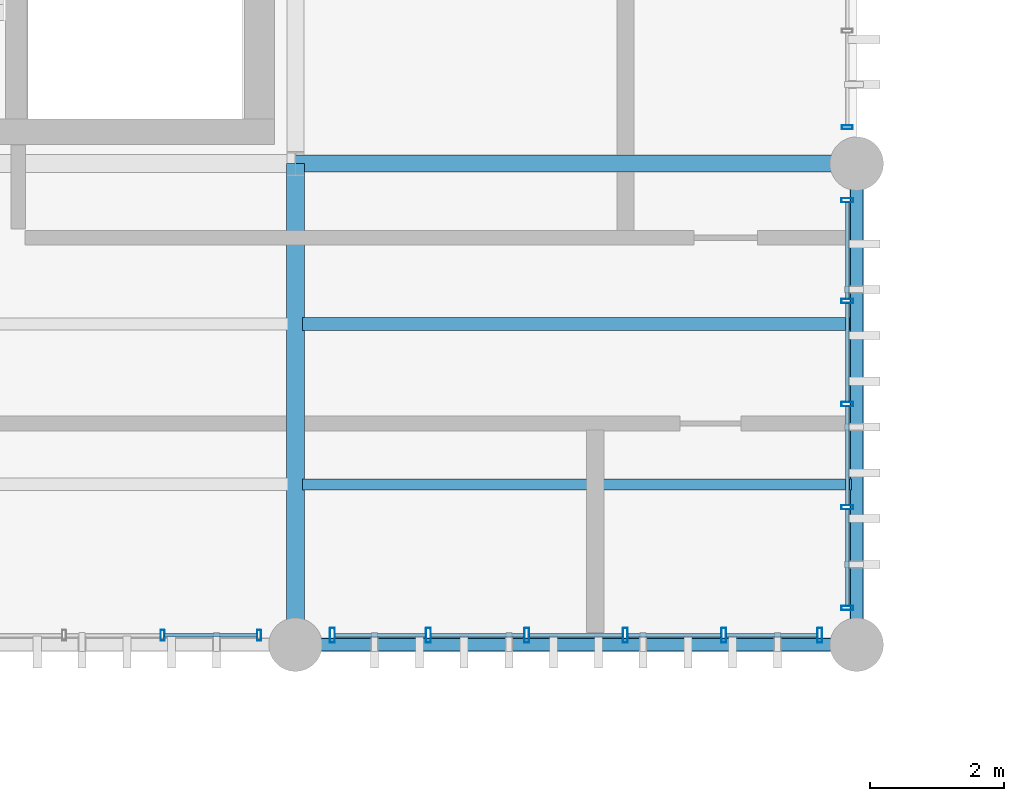
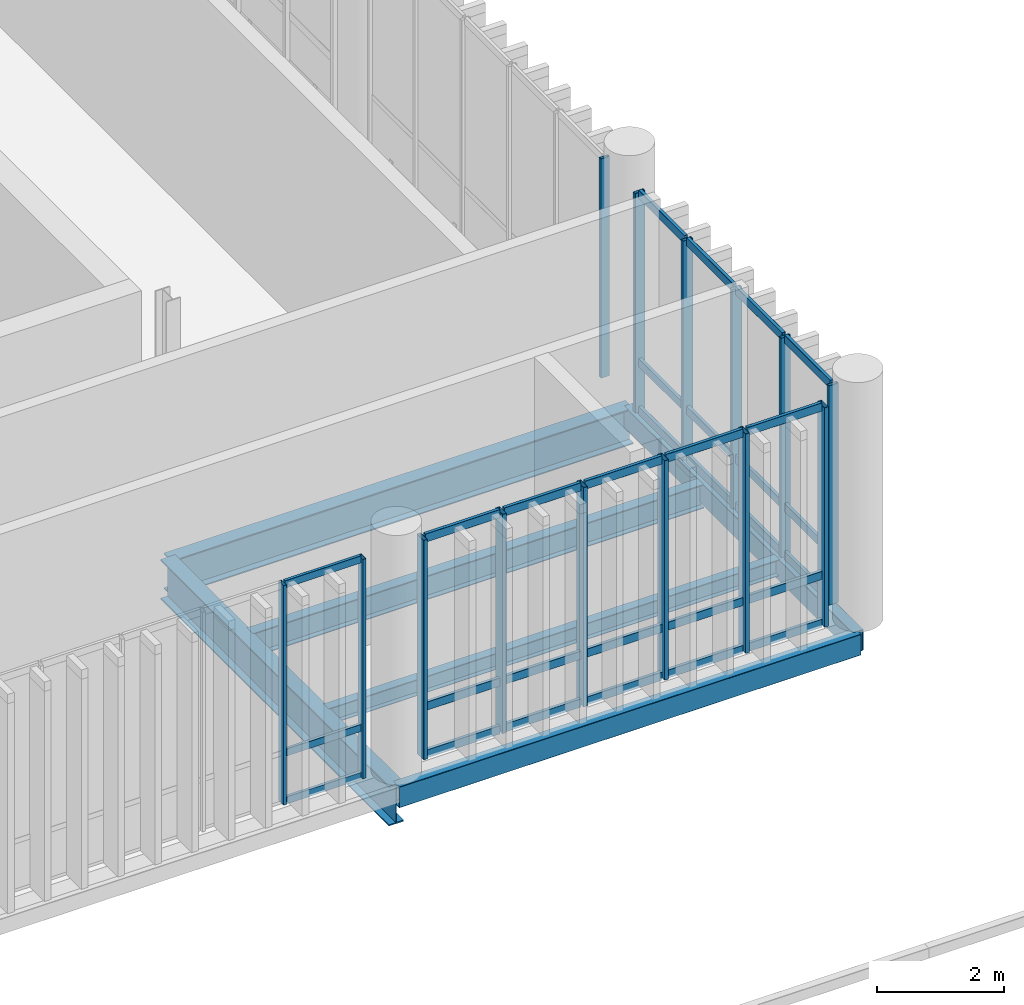
# One storey, part 40 of 94: 44 members, 6 beams, 4 elements without a shape of their own.
"""IFC4 building model written with IfcOpenShell, lengths in metres."""

from ifc_helpers import new_model, si_unit, direction, frame, origin_with_axes, origin_2d_with_axis, place, context, subcontext, project, spatial, hollow_rectangle, i_section, extrude, material, material_profile, profile_set, type_object, element, aggregate, save


model = new_model("IFC4")

# Units and contexts
model_context = context("Model", 3, precision=1e-05, world=origin_with_axes(), true_north=direction((0.0, 1.0)))
body_context = subcontext(model_context, "Body", "Model", "MODEL_VIEW")
ifc_project = project(units=[si_unit("LENGTHUNIT", "METRE"), si_unit("AREAUNIT", "SQUARE_METRE"), si_unit("VOLUMEUNIT", "CUBIC_METRE"), si_unit("PLANEANGLEUNIT", "RADIAN"), si_unit("MASSUNIT", "GRAM", prefix="KILO"), si_unit("THERMODYNAMICTEMPERATUREUNIT", "KELVIN")], contexts=[model_context])

# Site, building, storey
site_placement = place(None, origin_with_axes())
site = spatial("IfcSite", under=ifc_project, at=site_placement, CompositionType="ELEMENT")
building_placement = place(site_placement, origin_with_axes())
building = spatial("IfcBuilding", under=site, at=building_placement, Name="Montbau Bow Law Courts", CompositionType="ELEMENT")
storey_placement = place(building_placement, frame((0.0, 0.0, 15.6), z_axis=(0.0, 0.0, 1.0), x_axis=(1.0, 0.0, 0.0)))
storey = spatial("IfcBuildingStorey", under=building, at=storey_placement, Name="L03", CompositionType="ELEMENT", Elevation=15.6)

# Beams
ifc_material_1 = material(Name="Steel CSA G40.21 Grade 350W (350 MPa)", Category="steel")
ifc_material_profile_1 = material_profile(ifc_material_1, i_section(OverallWidth=0.267, OverallDepth=0.766, WebThickness=0.0149, FlangeThickness=0.0236, at=origin_2d_with_axis()), Name="W760X185", Category="Main", Priority=0)
ifc_profile_set_1 = profile_set([ifc_material_profile_1], Name="Steel CSA G40.21 Grade 350W (350 MPa)")
beam_type_1 = type_object("IfcBeamType", Name="B-FLR-03", PredefinedType="BEAM", material=ifc_profile_set_1)
beam_1_placement = place(None, frame((88.8, 39.0, 14.957), z_axis=(0.0, 1.0, 0.0), x_axis=(-1.0, 0.0, 0.0)))
element("IfcBeam", 1, at=beam_1_placement, inside=storey, type_object=beam_type_1, Name="BM-L03-S0910:bm2_0913", PredefinedType="BEAM", context=body_context, shape_type="SweptSolid", body=[
    extrude(i_section(OverallWidth=0.267, OverallDepth=0.766, WebThickness=0.0149, FlangeThickness=0.0236, at=origin_2d_with_axis()), origin_with_axes(), (0.0, 0.0, 1.0), 7.2),
])
ifc_material_profile_2 = material_profile(ifc_material_1, i_section(OverallWidth=0.254, OverallDepth=0.688, WebThickness=0.0131, FlangeThickness=0.0211, at=origin_2d_with_axis()), Name="W690X152", Category="Main", Priority=0)
ifc_profile_set_2 = profile_set([ifc_material_profile_2], Name="Steel CSA G40.21 Grade 350W (350 MPa)")
beam_type_2 = type_object("IfcBeamType", Name="B-FLR-04", PredefinedType="BEAM", material=ifc_profile_set_2)
beam_2_placement = place(None, frame((88.8, 46.2, 14.996), z_axis=(1.0, 0.0, 0.0), x_axis=(0.0, 1.0, 0.0)))
element("IfcBeam", 2, at=beam_2_placement, inside=storey, type_object=beam_type_2, Name="BM-L03-S0885:bm2_0888", PredefinedType="BEAM", context=body_context, shape_type="SweptSolid", body=[
    extrude(i_section(OverallWidth=0.254, OverallDepth=0.688, WebThickness=0.0131, FlangeThickness=0.0211, at=origin_2d_with_axis()), origin_with_axes(), (0.0, 0.0, 1.0), 8.4),
])
ifc_material_profile_3 = material_profile(ifc_material_1, i_section(OverallWidth=0.191, OverallDepth=0.46, WebThickness=0.0099, FlangeThickness=0.016, at=origin_2d_with_axis()), Name="W460X82", Category="Main", Priority=0)
ifc_profile_set_3 = profile_set([ifc_material_profile_3], Name="Steel CSA G40.21 Grade 350W (350 MPa)")
beam_type_3 = type_object("IfcBeamType", Name="B-JST-01", PredefinedType="JOIST", material=ifc_profile_set_3)
beam_3_placement = place(None, frame((88.909, 43.8, 15.11), z_axis=(1.0, 0.0, 0.0), x_axis=(0.0, 1.0, 0.0)))
element("IfcBeam", 3, at=beam_3_placement, inside=storey, type_object=beam_type_3, Name="JST-L03-S0472:jst2_0472", PredefinedType="JOIST", context=body_context, shape_type="SweptSolid", body=[
    extrude(i_section(OverallWidth=0.191, OverallDepth=0.46, WebThickness=0.0099, FlangeThickness=0.016, at=origin_2d_with_axis()), origin_with_axes(), (0.0, 0.0, 1.0), 8.211),
])
ifc_material_profile_4 = material_profile(ifc_material_1, i_section(OverallWidth=0.166, OverallDepth=0.313, WebThickness=0.0066, FlangeThickness=0.0112, at=origin_2d_with_axis()), Name="W310X45", Category="Main", Priority=0)
ifc_profile_set_4 = profile_set([ifc_material_profile_4], Name="Steel CSA G40.21 Grade 350W (350 MPa)")
beam_type_4 = type_object("IfcBeamType", Name="B-JST-04", PredefinedType="JOIST", material=ifc_profile_set_4)
beam_4_placement = place(None, frame((88.909, 41.4, 15.184), z_axis=(1.0, 0.0, 0.0), x_axis=(0.0, 1.0, 0.0)))
element("IfcBeam", 4, at=beam_4_placement, inside=storey, type_object=beam_type_4, Name="JST-L03-S0471:jst2_0471", PredefinedType="JOIST", context=body_context, shape_type="SweptSolid", body=[
    extrude(i_section(OverallWidth=0.166, OverallDepth=0.313, WebThickness=0.0066, FlangeThickness=0.0112, at=origin_2d_with_axis()), origin_with_axes(), (0.0, 0.0, 1.0), 8.211),
])
ifc_material_2 = material(Name="Steel CSA G40.21 Grade 350WT (350 MPa)", Category="steel")
ifc_material_profile_5 = material_profile(ifc_material_2, hollow_rectangle(XDim=0.203, YDim=0.406, WallThickness=0.0127, InnerFilletRadius=0.0254, OuterFilletRadius=0.0127, at=origin_2d_with_axis()), Name="HSS406X203X13", Category="Main", Priority=0)
ifc_profile_set_5 = profile_set([ifc_material_profile_5], Name="Steel CSA G40.21 Grade 350WT (350 MPa)")
beam_type_5 = type_object("IfcBeamType", Name="B-SPN-01", PredefinedType="SPANDREL", material=ifc_profile_set_5)
beam_5_placement = place(None, frame((88.8, 39.0, 15.137), z_axis=(1.0, 0.0, 0.0), x_axis=(0.0, 1.0, 0.0)))
element("IfcBeam", 5, at=beam_5_placement, inside=storey, type_object=beam_type_5, Name="SPN-L03-S0879:bm2_0882", PredefinedType="SPANDREL", context=body_context, shape_type="SweptSolid", body=[
    extrude(hollow_rectangle(XDim=0.203, YDim=0.406, WallThickness=0.0127, InnerFilletRadius=0.0254, OuterFilletRadius=0.0127, at=origin_2d_with_axis()), origin_with_axes(), (0.0, 0.0, 1.0), 8.4),
])
beam_6_placement = place(None, frame((97.2, 39.0, 15.137), z_axis=(0.0, 1.0, 0.0), x_axis=(-1.0, 0.0, 0.0)))
element("IfcBeam", 6, at=beam_6_placement, inside=storey, type_object=beam_type_5, Name="SPN-L03-S0913:bm2_0916", PredefinedType="SPANDREL", context=body_context, shape_type="SweptSolid", body=[
    extrude(hollow_rectangle(XDim=0.203, YDim=0.406, WallThickness=0.0127, InnerFilletRadius=0.0254, OuterFilletRadius=0.0127, at=origin_2d_with_axis()), origin_with_axes(), (0.0, 0.0, 1.0), 7.2),
])

# Curtain wall, members
ifc_material_3 = material(Name="Thermally Broken Extruded Aluminium AA 6063-T6", Category="aluminium")
curtain_wall_type = type_object("IfcCurtainWallType", Name="CW-CRM-01", PredefinedType="NOTDEFINED", material=ifc_material_3)
curtain_wall_1_placement = place(None, frame((89.315, 39.14, 15.6), z_axis=(0.0, 0.0, 1.0), x_axis=(1.0, 0.0, 0.0)))
curtain_wall_1 = element("IfcCurtainWall", 7, at=curtain_wall_1_placement, inside=storey, type_object=curtain_wall_type, Name="CW-L03-180:cw_0180", PredefinedType="NOTDEFINED")
ifc_material_profile_6 = material_profile(ifc_material_3, hollow_rectangle(XDim=0.075, YDim=0.22, WallThickness=0.005, InnerFilletRadius=0.01, OuterFilletRadius=0.005, at=origin_2d_with_axis()), Name="CWM-220X75", Category="Main", Priority=0)
ifc_profile_set_6 = profile_set([ifc_material_profile_6], Name="Thermally Broken Extruded Aluminium AA 6063-T6")
member_type_1 = type_object("IfcMemberType", Name="M-MUL-01", PredefinedType="MULLION", material=ifc_profile_set_6)
member_1_placement = place(None, frame((89.352, 39.14, 15.6), z_axis=(0.0, 0.0, 1.0), x_axis=(1.0, 0.0, 0.0)))
member_1 = element("IfcMember", 8, at=member_1_placement, type_object=member_type_1, Name="CW-L03-180-M01:cw_0180_M01", PredefinedType="MULLION", context=body_context, shape_type="SweptSolid", body=[
    extrude(hollow_rectangle(XDim=0.075, YDim=0.22, WallThickness=0.005, InnerFilletRadius=0.01, OuterFilletRadius=0.005, at=origin_2d_with_axis()), origin_with_axes(), (0.0, 0.0, 1.0), 4.22),
])
member_2_placement = place(None, frame((90.789, 39.14, 15.6), z_axis=(0.0, 0.0, 1.0), x_axis=(1.0, 0.0, 0.0)))
member_2 = element("IfcMember", 9, at=member_2_placement, type_object=member_type_1, Name="CW-L03-180-M02:cw_0180_M02", PredefinedType="MULLION", context=body_context, shape_type="SweptSolid", body=[
    extrude(hollow_rectangle(XDim=0.075, YDim=0.22, WallThickness=0.005, InnerFilletRadius=0.01, OuterFilletRadius=0.005, at=origin_2d_with_axis()), origin_with_axes(), (0.0, 0.0, 1.0), 4.22),
])
member_3_placement = place(None, frame((92.263, 39.14, 15.6), z_axis=(0.0, 0.0, 1.0), x_axis=(1.0, 0.0, 0.0)))
member_3 = element("IfcMember", 10, at=member_3_placement, type_object=member_type_1, Name="CW-L03-180-M03:cw_0180_M03", PredefinedType="MULLION", context=body_context, shape_type="SweptSolid", body=[
    extrude(hollow_rectangle(XDim=0.075, YDim=0.22, WallThickness=0.005, InnerFilletRadius=0.01, OuterFilletRadius=0.005, at=origin_2d_with_axis()), origin_with_axes(), (0.0, 0.0, 1.0), 4.22),
])
member_4_placement = place(None, frame((93.737, 39.14, 15.6), z_axis=(0.0, 0.0, 1.0), x_axis=(1.0, 0.0, 0.0)))
member_4 = element("IfcMember", 11, at=member_4_placement, type_object=member_type_1, Name="CW-L03-180-M04:cw_0180_M04", PredefinedType="MULLION", context=body_context, shape_type="SweptSolid", body=[
    extrude(hollow_rectangle(XDim=0.075, YDim=0.22, WallThickness=0.005, InnerFilletRadius=0.01, OuterFilletRadius=0.005, at=origin_2d_with_axis()), origin_with_axes(), (0.0, 0.0, 1.0), 4.22),
])
member_5_placement = place(None, frame((95.211, 39.14, 15.6), z_axis=(0.0, 0.0, 1.0), x_axis=(1.0, 0.0, 0.0)))
member_5 = element("IfcMember", 12, at=member_5_placement, type_object=member_type_1, Name="CW-L03-180-M05:cw_0180_M05", PredefinedType="MULLION", context=body_context, shape_type="SweptSolid", body=[
    extrude(hollow_rectangle(XDim=0.075, YDim=0.22, WallThickness=0.005, InnerFilletRadius=0.01, OuterFilletRadius=0.005, at=origin_2d_with_axis()), origin_with_axes(), (0.0, 0.0, 1.0), 4.22),
])
member_6_placement = place(None, frame((96.648, 39.14, 15.6), z_axis=(0.0, 0.0, 1.0), x_axis=(1.0, 0.0, 0.0)))
member_6 = element("IfcMember", 13, at=member_6_placement, type_object=member_type_1, Name="CW-L03-180-M06:cw_0180_M06", PredefinedType="MULLION", context=body_context, shape_type="SweptSolid", body=[
    extrude(hollow_rectangle(XDim=0.075, YDim=0.22, WallThickness=0.005, InnerFilletRadius=0.01, OuterFilletRadius=0.005, at=origin_2d_with_axis()), origin_with_axes(), (0.0, 0.0, 1.0), 4.22),
])

curtain_wall_2_placement = place(None, frame((97.06, 39.515, 15.6), z_axis=(0.0, 0.0, 1.0), x_axis=(1.0, 0.0, 0.0)))
curtain_wall_2 = element("IfcCurtainWall", 14, at=curtain_wall_2_placement, inside=storey, type_object=curtain_wall_type, Name="CW-L03-190:cw_0190", PredefinedType="NOTDEFINED")
ifc_material_profile_7 = material_profile(ifc_material_3, hollow_rectangle(XDim=0.065, YDim=0.18, WallThickness=0.005, InnerFilletRadius=0.01, OuterFilletRadius=0.005, at=origin_2d_with_axis()), Name="CWM-180X65", Category="Main", Priority=0)
ifc_profile_set_7 = profile_set([ifc_material_profile_7], Name="Thermally Broken Extruded Aluminium AA 6063-T6")
member_type_2 = type_object("IfcMemberType", Name="M-MUL-02", PredefinedType="MULLION", material=ifc_profile_set_7)
member_7_placement = place(None, frame((97.06, 39.548, 15.6), z_axis=(0.0, 0.0, 1.0), x_axis=(0.0, 1.0, 0.0)))
member_7 = element("IfcMember", 15, at=member_7_placement, type_object=member_type_2, Name="CW-L03-190-M01:cw_0190_M01", PredefinedType="MULLION", context=body_context, shape_type="SweptSolid", body=[
    extrude(hollow_rectangle(XDim=0.065, YDim=0.18, WallThickness=0.005, InnerFilletRadius=0.01, OuterFilletRadius=0.005, at=origin_2d_with_axis()), origin_with_axes(), (0.0, 0.0, 1.0), 4.22),
])
member_8_placement = place(None, frame((97.06, 41.058, 15.6), z_axis=(0.0, 0.0, 1.0), x_axis=(0.0, 1.0, 0.0)))
member_8 = element("IfcMember", 16, at=member_8_placement, type_object=member_type_2, Name="CW-L03-190-M02:cw_0190_M02", PredefinedType="MULLION", context=body_context, shape_type="SweptSolid", body=[
    extrude(hollow_rectangle(XDim=0.065, YDim=0.18, WallThickness=0.005, InnerFilletRadius=0.01, OuterFilletRadius=0.005, at=origin_2d_with_axis()), origin_with_axes(), (0.0, 0.0, 1.0), 4.22),
])
member_9_placement = place(None, frame((97.06, 42.6, 15.6), z_axis=(0.0, 0.0, 1.0), x_axis=(0.0, 1.0, 0.0)))
member_9 = element("IfcMember", 17, at=member_9_placement, type_object=member_type_2, Name="CW-L03-190-M03:cw_0190_M03", PredefinedType="MULLION", context=body_context, shape_type="SweptSolid", body=[
    extrude(hollow_rectangle(XDim=0.065, YDim=0.18, WallThickness=0.005, InnerFilletRadius=0.01, OuterFilletRadius=0.005, at=origin_2d_with_axis()), origin_with_axes(), (0.0, 0.0, 1.0), 4.22),
])
member_10_placement = place(None, frame((97.06, 44.143, 15.6), z_axis=(0.0, 0.0, 1.0), x_axis=(0.0, 1.0, 0.0)))
member_10 = element("IfcMember", 18, at=member_10_placement, type_object=member_type_2, Name="CW-L03-190-M04:cw_0190_M04", PredefinedType="MULLION", context=body_context, shape_type="SweptSolid", body=[
    extrude(hollow_rectangle(XDim=0.065, YDim=0.18, WallThickness=0.005, InnerFilletRadius=0.01, OuterFilletRadius=0.005, at=origin_2d_with_axis()), origin_with_axes(), (0.0, 0.0, 1.0), 4.22),
])
member_11_placement = place(None, frame((97.06, 45.653, 15.6), z_axis=(0.0, 0.0, 1.0), x_axis=(0.0, 1.0, 0.0)))
member_11 = element("IfcMember", 19, at=member_11_placement, type_object=member_type_2, Name="CW-L03-190-M05:cw_0190_M05", PredefinedType="MULLION", context=body_context, shape_type="SweptSolid", body=[
    extrude(hollow_rectangle(XDim=0.065, YDim=0.18, WallThickness=0.005, InnerFilletRadius=0.01, OuterFilletRadius=0.005, at=origin_2d_with_axis()), origin_with_axes(), (0.0, 0.0, 1.0), 4.22),
])

curtain_wall_3_placement = place(None, frame((80.915, 39.14, 15.6), z_axis=(0.0, 0.0, 1.0), x_axis=(1.0, 0.0, 0.0)))
curtain_wall_3 = element("IfcCurtainWall", 20, at=curtain_wall_3_placement, inside=storey, type_object=curtain_wall_type, Name="CW-L03-179:cw_0179", PredefinedType="NOTDEFINED")
ifc_material_profile_8 = material_profile(ifc_material_3, hollow_rectangle(XDim=0.06, YDim=0.16, WallThickness=0.004, InnerFilletRadius=0.008, OuterFilletRadius=0.004, at=origin_2d_with_axis()), Name="CWM-160X60", Category="Main", Priority=0)
ifc_profile_set_8 = profile_set([ifc_material_profile_8], Name="Thermally Broken Extruded Aluminium AA 6063-T6")
member_type_3 = type_object("IfcMemberType", Name="M-MUL-03", PredefinedType="MULLION", material=ifc_profile_set_8)
member_12_placement = place(None, frame((86.811, 39.14, 15.6), z_axis=(0.0, 0.0, 1.0), x_axis=(1.0, 0.0, 0.0)))
member_12 = element("IfcMember", 21, at=member_12_placement, type_object=member_type_3, Name="CW-L03-179-M05:cw_0179_M05", PredefinedType="MULLION", context=body_context, shape_type="SweptSolid", body=[
    extrude(hollow_rectangle(XDim=0.06, YDim=0.16, WallThickness=0.004, InnerFilletRadius=0.008, OuterFilletRadius=0.004, at=origin_2d_with_axis()), origin_with_axes(), (0.0, 0.0, 1.0), 4.22),
])
member_13_placement = place(None, frame((88.255, 39.14, 15.6), z_axis=(0.0, 0.0, 1.0), x_axis=(1.0, 0.0, 0.0)))
member_13 = element("IfcMember", 22, at=member_13_placement, type_object=member_type_3, Name="CW-L03-179-M06:cw_0179_M06", PredefinedType="MULLION", context=body_context, shape_type="SweptSolid", body=[
    extrude(hollow_rectangle(XDim=0.06, YDim=0.16, WallThickness=0.004, InnerFilletRadius=0.008, OuterFilletRadius=0.004, at=origin_2d_with_axis()), origin_with_axes(), (0.0, 0.0, 1.0), 4.22),
])

# Curtain wall, member
curtain_wall_4_placement = place(None, frame((97.06, 46.715, 15.6), z_axis=(0.0, 0.0, 1.0), x_axis=(1.0, 0.0, 0.0)))
curtain_wall_4 = element("IfcCurtainWall", 23, at=curtain_wall_4_placement, inside=storey, type_object=curtain_wall_type, Name="CW-L03-191:cw_0191", PredefinedType="NOTDEFINED")
member_14_placement = place(None, frame((97.06, 46.745, 15.6), z_axis=(0.0, 0.0, 1.0), x_axis=(0.0, 1.0, 0.0)))
member_14 = element("IfcMember", 24, at=member_14_placement, type_object=member_type_3, Name="CW-L03-191-M01:cw_0191_M01", PredefinedType="MULLION", context=body_context, shape_type="SweptSolid", body=[
    extrude(hollow_rectangle(XDim=0.06, YDim=0.16, WallThickness=0.004, InnerFilletRadius=0.008, OuterFilletRadius=0.004, at=origin_2d_with_axis()), origin_with_axes(), (0.0, 0.0, 1.0), 4.22),
])
aggregate(curtain_wall_4, [member_14])

# Member
ifc_material_profile_9 = material_profile(ifc_material_3, hollow_rectangle(XDim=0.06, YDim=0.16, WallThickness=0.004, InnerFilletRadius=0.008, OuterFilletRadius=0.004, at=origin_2d_with_axis()), Name="CWT-160X60", Category="Main", Priority=0)
ifc_profile_set_9 = profile_set([ifc_material_profile_9], Name="Thermally Broken Extruded Aluminium AA 6063-T6")
member_type_4 = type_object("IfcMemberType", Name="M-TRN-01", PredefinedType="USERDEFINED", material=ifc_profile_set_9)
member_15_placement = place(None, frame((89.391, 39.14, 15.63), z_axis=(1.0, 0.0, 0.0), x_axis=(0.0, 1.0, 0.0)))
member_15 = element("IfcMember", 25, at=member_15_placement, type_object=member_type_4, Name="CW-L03-180-T01-1:cw_0180_T01_1", ObjectType="TRANSOM", PredefinedType="USERDEFINED", context=body_context, shape_type="SweptSolid", body=[
    extrude(hollow_rectangle(XDim=0.06, YDim=0.16, WallThickness=0.004, InnerFilletRadius=0.008, OuterFilletRadius=0.004, at=origin_2d_with_axis()), origin_with_axes(), (0.0, 0.0, 1.0), 1.358),
])

member_16_placement = place(None, frame((89.391, 39.14, 16.55), z_axis=(1.0, 0.0, 0.0), x_axis=(0.0, 1.0, 0.0)))
member_16 = element("IfcMember", 26, at=member_16_placement, type_object=member_type_4, Name="CW-L03-180-T01-2:cw_0180_T01_2", ObjectType="TRANSOM", PredefinedType="USERDEFINED", context=body_context, shape_type="SweptSolid", body=[
    extrude(hollow_rectangle(XDim=0.06, YDim=0.16, WallThickness=0.004, InnerFilletRadius=0.008, OuterFilletRadius=0.004, at=origin_2d_with_axis()), origin_with_axes(), (0.0, 0.0, 1.0), 1.358),
])

member_17_placement = place(None, frame((89.391, 39.14, 19.79), z_axis=(1.0, 0.0, 0.0), x_axis=(0.0, 1.0, 0.0)))
member_17 = element("IfcMember", 27, at=member_17_placement, type_object=member_type_4, Name="CW-L03-180-T01-3:cw_0180_T01_3", ObjectType="TRANSOM", PredefinedType="USERDEFINED", context=body_context, shape_type="SweptSolid", body=[
    extrude(hollow_rectangle(XDim=0.06, YDim=0.16, WallThickness=0.004, InnerFilletRadius=0.008, OuterFilletRadius=0.004, at=origin_2d_with_axis()), origin_with_axes(), (0.0, 0.0, 1.0), 1.358),
])

member_18_placement = place(None, frame((90.829, 39.14, 15.63), z_axis=(1.0, 0.0, 0.0), x_axis=(0.0, 1.0, 0.0)))
member_18 = element("IfcMember", 28, at=member_18_placement, type_object=member_type_4, Name="CW-L03-180-T02-1:cw_0180_T02_1", ObjectType="TRANSOM", PredefinedType="USERDEFINED", context=body_context, shape_type="SweptSolid", body=[
    extrude(hollow_rectangle(XDim=0.06, YDim=0.16, WallThickness=0.004, InnerFilletRadius=0.008, OuterFilletRadius=0.004, at=origin_2d_with_axis()), origin_with_axes(), (0.0, 0.0, 1.0), 1.395),
])

member_19_placement = place(None, frame((90.829, 39.14, 16.55), z_axis=(1.0, 0.0, 0.0), x_axis=(0.0, 1.0, 0.0)))
member_19 = element("IfcMember", 29, at=member_19_placement, type_object=member_type_4, Name="CW-L03-180-T02-2:cw_0180_T02_2", ObjectType="TRANSOM", PredefinedType="USERDEFINED", context=body_context, shape_type="SweptSolid", body=[
    extrude(hollow_rectangle(XDim=0.06, YDim=0.16, WallThickness=0.004, InnerFilletRadius=0.008, OuterFilletRadius=0.004, at=origin_2d_with_axis()), origin_with_axes(), (0.0, 0.0, 1.0), 1.395),
])

member_20_placement = place(None, frame((90.829, 39.14, 19.79), z_axis=(1.0, 0.0, 0.0), x_axis=(0.0, 1.0, 0.0)))
member_20 = element("IfcMember", 30, at=member_20_placement, type_object=member_type_4, Name="CW-L03-180-T02-3:cw_0180_T02_3", ObjectType="TRANSOM", PredefinedType="USERDEFINED", context=body_context, shape_type="SweptSolid", body=[
    extrude(hollow_rectangle(XDim=0.06, YDim=0.16, WallThickness=0.004, InnerFilletRadius=0.008, OuterFilletRadius=0.004, at=origin_2d_with_axis()), origin_with_axes(), (0.0, 0.0, 1.0), 1.395),
])

member_21_placement = place(None, frame((92.302, 39.14, 15.63), z_axis=(1.0, 0.0, 0.0), x_axis=(0.0, 1.0, 0.0)))
member_21 = element("IfcMember", 31, at=member_21_placement, type_object=member_type_4, Name="CW-L03-180-T03-1:cw_0180_T03_1", ObjectType="TRANSOM", PredefinedType="USERDEFINED", context=body_context, shape_type="SweptSolid", body=[
    extrude(hollow_rectangle(XDim=0.06, YDim=0.16, WallThickness=0.004, InnerFilletRadius=0.008, OuterFilletRadius=0.004, at=origin_2d_with_axis()), origin_with_axes(), (0.0, 0.0, 1.0), 1.396),
])

member_22_placement = place(None, frame((92.302, 39.14, 16.55), z_axis=(1.0, 0.0, 0.0), x_axis=(0.0, 1.0, 0.0)))
member_22 = element("IfcMember", 32, at=member_22_placement, type_object=member_type_4, Name="CW-L03-180-T03-2:cw_0180_T03_2", ObjectType="TRANSOM", PredefinedType="USERDEFINED", context=body_context, shape_type="SweptSolid", body=[
    extrude(hollow_rectangle(XDim=0.06, YDim=0.16, WallThickness=0.004, InnerFilletRadius=0.008, OuterFilletRadius=0.004, at=origin_2d_with_axis()), origin_with_axes(), (0.0, 0.0, 1.0), 1.396),
])

member_23_placement = place(None, frame((92.302, 39.14, 19.79), z_axis=(1.0, 0.0, 0.0), x_axis=(0.0, 1.0, 0.0)))
member_23 = element("IfcMember", 33, at=member_23_placement, type_object=member_type_4, Name="CW-L03-180-T03-3:cw_0180_T03_3", ObjectType="TRANSOM", PredefinedType="USERDEFINED", context=body_context, shape_type="SweptSolid", body=[
    extrude(hollow_rectangle(XDim=0.06, YDim=0.16, WallThickness=0.004, InnerFilletRadius=0.008, OuterFilletRadius=0.004, at=origin_2d_with_axis()), origin_with_axes(), (0.0, 0.0, 1.0), 1.396),
])

member_24_placement = place(None, frame((93.776, 39.14, 15.63), z_axis=(1.0, 0.0, 0.0), x_axis=(0.0, 1.0, 0.0)))
member_24 = element("IfcMember", 34, at=member_24_placement, type_object=member_type_4, Name="CW-L03-180-T04-1:cw_0180_T04_1", ObjectType="TRANSOM", PredefinedType="USERDEFINED", context=body_context, shape_type="SweptSolid", body=[
    extrude(hollow_rectangle(XDim=0.06, YDim=0.16, WallThickness=0.004, InnerFilletRadius=0.008, OuterFilletRadius=0.004, at=origin_2d_with_axis()), origin_with_axes(), (0.0, 0.0, 1.0), 1.396),
])

member_25_placement = place(None, frame((93.776, 39.14, 16.55), z_axis=(1.0, 0.0, 0.0), x_axis=(0.0, 1.0, 0.0)))
member_25 = element("IfcMember", 35, at=member_25_placement, type_object=member_type_4, Name="CW-L03-180-T04-2:cw_0180_T04_2", ObjectType="TRANSOM", PredefinedType="USERDEFINED", context=body_context, shape_type="SweptSolid", body=[
    extrude(hollow_rectangle(XDim=0.06, YDim=0.16, WallThickness=0.004, InnerFilletRadius=0.008, OuterFilletRadius=0.004, at=origin_2d_with_axis()), origin_with_axes(), (0.0, 0.0, 1.0), 1.396),
])

member_26_placement = place(None, frame((93.776, 39.14, 19.79), z_axis=(1.0, 0.0, 0.0), x_axis=(0.0, 1.0, 0.0)))
member_26 = element("IfcMember", 36, at=member_26_placement, type_object=member_type_4, Name="CW-L03-180-T04-3:cw_0180_T04_3", ObjectType="TRANSOM", PredefinedType="USERDEFINED", context=body_context, shape_type="SweptSolid", body=[
    extrude(hollow_rectangle(XDim=0.06, YDim=0.16, WallThickness=0.004, InnerFilletRadius=0.008, OuterFilletRadius=0.004, at=origin_2d_with_axis()), origin_with_axes(), (0.0, 0.0, 1.0), 1.396),
])

member_27_placement = place(None, frame((95.25, 39.14, 15.63), z_axis=(1.0, 0.0, 0.0), x_axis=(0.0, 1.0, 0.0)))
member_27 = element("IfcMember", 37, at=member_27_placement, type_object=member_type_4, Name="CW-L03-180-T05-1:cw_0180_T05_1", ObjectType="TRANSOM", PredefinedType="USERDEFINED", context=body_context, shape_type="SweptSolid", body=[
    extrude(hollow_rectangle(XDim=0.06, YDim=0.16, WallThickness=0.004, InnerFilletRadius=0.008, OuterFilletRadius=0.004, at=origin_2d_with_axis()), origin_with_axes(), (0.0, 0.0, 1.0), 1.359),
])

member_28_placement = place(None, frame((95.25, 39.14, 16.55), z_axis=(1.0, 0.0, 0.0), x_axis=(0.0, 1.0, 0.0)))
member_28 = element("IfcMember", 38, at=member_28_placement, type_object=member_type_4, Name="CW-L03-180-T05-2:cw_0180_T05_2", ObjectType="TRANSOM", PredefinedType="USERDEFINED", context=body_context, shape_type="SweptSolid", body=[
    extrude(hollow_rectangle(XDim=0.06, YDim=0.16, WallThickness=0.004, InnerFilletRadius=0.008, OuterFilletRadius=0.004, at=origin_2d_with_axis()), origin_with_axes(), (0.0, 0.0, 1.0), 1.359),
])

member_29_placement = place(None, frame((95.25, 39.14, 19.79), z_axis=(1.0, 0.0, 0.0), x_axis=(0.0, 1.0, 0.0)))
member_29 = element("IfcMember", 39, at=member_29_placement, type_object=member_type_4, Name="CW-L03-180-T05-3:cw_0180_T05_3", ObjectType="TRANSOM", PredefinedType="USERDEFINED", context=body_context, shape_type="SweptSolid", body=[
    extrude(hollow_rectangle(XDim=0.06, YDim=0.16, WallThickness=0.004, InnerFilletRadius=0.008, OuterFilletRadius=0.004, at=origin_2d_with_axis()), origin_with_axes(), (0.0, 0.0, 1.0), 1.359),
])

aggregate(curtain_wall_1, [member_1, member_2, member_3, member_4, member_5, member_6, member_15, member_16, member_17, member_18, member_19, member_20, member_21, member_22, member_23, member_24, member_25, member_26, member_27, member_28, member_29])

member_30_placement = place(None, frame((97.06, 39.583, 15.63), z_axis=(0.0, 1.0, 0.0), x_axis=(-1.0, 0.0, 0.0)))
member_30 = element("IfcMember", 40, at=member_30_placement, type_object=member_type_4, Name="CW-L03-190-T01-1:cw_0190_T01_1", ObjectType="TRANSOM", PredefinedType="USERDEFINED", context=body_context, shape_type="SweptSolid", body=[
    extrude(hollow_rectangle(XDim=0.06, YDim=0.16, WallThickness=0.004, InnerFilletRadius=0.008, OuterFilletRadius=0.004, at=origin_2d_with_axis()), origin_with_axes(), (0.0, 0.0, 1.0), 1.44),
])

member_31_placement = place(None, frame((97.06, 39.583, 16.55), z_axis=(0.0, 1.0, 0.0), x_axis=(-1.0, 0.0, 0.0)))
member_31 = element("IfcMember", 41, at=member_31_placement, type_object=member_type_4, Name="CW-L03-190-T01-2:cw_0190_T01_2", ObjectType="TRANSOM", PredefinedType="USERDEFINED", context=body_context, shape_type="SweptSolid", body=[
    extrude(hollow_rectangle(XDim=0.06, YDim=0.16, WallThickness=0.004, InnerFilletRadius=0.008, OuterFilletRadius=0.004, at=origin_2d_with_axis()), origin_with_axes(), (0.0, 0.0, 1.0), 1.44),
])

member_32_placement = place(None, frame((97.06, 39.583, 19.79), z_axis=(0.0, 1.0, 0.0), x_axis=(-1.0, 0.0, 0.0)))
member_32 = element("IfcMember", 42, at=member_32_placement, type_object=member_type_4, Name="CW-L03-190-T01-3:cw_0190_T01_3", ObjectType="TRANSOM", PredefinedType="USERDEFINED", context=body_context, shape_type="SweptSolid", body=[
    extrude(hollow_rectangle(XDim=0.06, YDim=0.16, WallThickness=0.004, InnerFilletRadius=0.008, OuterFilletRadius=0.004, at=origin_2d_with_axis()), origin_with_axes(), (0.0, 0.0, 1.0), 1.44),
])

member_33_placement = place(None, frame((97.06, 41.092, 15.63), z_axis=(0.0, 1.0, 0.0), x_axis=(-1.0, 0.0, 0.0)))
member_33 = element("IfcMember", 43, at=member_33_placement, type_object=member_type_4, Name="CW-L03-190-T02-1:cw_0190_T02_1", ObjectType="TRANSOM", PredefinedType="USERDEFINED", context=body_context, shape_type="SweptSolid", body=[
    extrude(hollow_rectangle(XDim=0.06, YDim=0.16, WallThickness=0.004, InnerFilletRadius=0.008, OuterFilletRadius=0.004, at=origin_2d_with_axis()), origin_with_axes(), (0.0, 0.0, 1.0), 1.473),
])

member_34_placement = place(None, frame((97.06, 41.092, 16.55), z_axis=(0.0, 1.0, 0.0), x_axis=(-1.0, 0.0, 0.0)))
member_34 = element("IfcMember", 44, at=member_34_placement, type_object=member_type_4, Name="CW-L03-190-T02-2:cw_0190_T02_2", ObjectType="TRANSOM", PredefinedType="USERDEFINED", context=body_context, shape_type="SweptSolid", body=[
    extrude(hollow_rectangle(XDim=0.06, YDim=0.16, WallThickness=0.004, InnerFilletRadius=0.008, OuterFilletRadius=0.004, at=origin_2d_with_axis()), origin_with_axes(), (0.0, 0.0, 1.0), 1.473),
])

member_35_placement = place(None, frame((97.06, 41.092, 19.79), z_axis=(0.0, 1.0, 0.0), x_axis=(-1.0, 0.0, 0.0)))
member_35 = element("IfcMember", 45, at=member_35_placement, type_object=member_type_4, Name="CW-L03-190-T02-3:cw_0190_T02_3", ObjectType="TRANSOM", PredefinedType="USERDEFINED", context=body_context, shape_type="SweptSolid", body=[
    extrude(hollow_rectangle(XDim=0.06, YDim=0.16, WallThickness=0.004, InnerFilletRadius=0.008, OuterFilletRadius=0.004, at=origin_2d_with_axis()), origin_with_axes(), (0.0, 0.0, 1.0), 1.473),
])

member_36_placement = place(None, frame((97.06, 42.634, 15.63), z_axis=(0.0, 1.0, 0.0), x_axis=(-1.0, 0.0, 0.0)))
member_36 = element("IfcMember", 46, at=member_36_placement, type_object=member_type_4, Name="CW-L03-190-T03-1:cw_0190_T03_1", ObjectType="TRANSOM", PredefinedType="USERDEFINED", context=body_context, shape_type="SweptSolid", body=[
    extrude(hollow_rectangle(XDim=0.06, YDim=0.16, WallThickness=0.004, InnerFilletRadius=0.008, OuterFilletRadius=0.004, at=origin_2d_with_axis()), origin_with_axes(), (0.0, 0.0, 1.0), 1.475),
])

member_37_placement = place(None, frame((97.06, 42.634, 16.55), z_axis=(0.0, 1.0, 0.0), x_axis=(-1.0, 0.0, 0.0)))
member_37 = element("IfcMember", 47, at=member_37_placement, type_object=member_type_4, Name="CW-L03-190-T03-2:cw_0190_T03_2", ObjectType="TRANSOM", PredefinedType="USERDEFINED", context=body_context, shape_type="SweptSolid", body=[
    extrude(hollow_rectangle(XDim=0.06, YDim=0.16, WallThickness=0.004, InnerFilletRadius=0.008, OuterFilletRadius=0.004, at=origin_2d_with_axis()), origin_with_axes(), (0.0, 0.0, 1.0), 1.475),
])

member_38_placement = place(None, frame((97.06, 42.634, 19.79), z_axis=(0.0, 1.0, 0.0), x_axis=(-1.0, 0.0, 0.0)))
member_38 = element("IfcMember", 48, at=member_38_placement, type_object=member_type_4, Name="CW-L03-190-T03-3:cw_0190_T03_3", ObjectType="TRANSOM", PredefinedType="USERDEFINED", context=body_context, shape_type="SweptSolid", body=[
    extrude(hollow_rectangle(XDim=0.06, YDim=0.16, WallThickness=0.004, InnerFilletRadius=0.008, OuterFilletRadius=0.004, at=origin_2d_with_axis()), origin_with_axes(), (0.0, 0.0, 1.0), 1.475),
])

member_39_placement = place(None, frame((97.06, 44.177, 15.63), z_axis=(0.0, 1.0, 0.0), x_axis=(-1.0, 0.0, 0.0)))
member_39 = element("IfcMember", 49, at=member_39_placement, type_object=member_type_4, Name="CW-L03-190-T04-1:cw_0190_T04_1", ObjectType="TRANSOM", PredefinedType="USERDEFINED", context=body_context, shape_type="SweptSolid", body=[
    extrude(hollow_rectangle(XDim=0.06, YDim=0.16, WallThickness=0.004, InnerFilletRadius=0.008, OuterFilletRadius=0.004, at=origin_2d_with_axis()), origin_with_axes(), (0.0, 0.0, 1.0), 1.442),
])

member_40_placement = place(None, frame((97.06, 44.177, 16.55), z_axis=(0.0, 1.0, 0.0), x_axis=(-1.0, 0.0, 0.0)))
member_40 = element("IfcMember", 50, at=member_40_placement, type_object=member_type_4, Name="CW-L03-190-T04-2:cw_0190_T04_2", ObjectType="TRANSOM", PredefinedType="USERDEFINED", context=body_context, shape_type="SweptSolid", body=[
    extrude(hollow_rectangle(XDim=0.06, YDim=0.16, WallThickness=0.004, InnerFilletRadius=0.008, OuterFilletRadius=0.004, at=origin_2d_with_axis()), origin_with_axes(), (0.0, 0.0, 1.0), 1.442),
])

member_41_placement = place(None, frame((97.06, 44.177, 19.79), z_axis=(0.0, 1.0, 0.0), x_axis=(-1.0, 0.0, 0.0)))
member_41 = element("IfcMember", 51, at=member_41_placement, type_object=member_type_4, Name="CW-L03-190-T04-3:cw_0190_T04_3", ObjectType="TRANSOM", PredefinedType="USERDEFINED", context=body_context, shape_type="SweptSolid", body=[
    extrude(hollow_rectangle(XDim=0.06, YDim=0.16, WallThickness=0.004, InnerFilletRadius=0.008, OuterFilletRadius=0.004, at=origin_2d_with_axis()), origin_with_axes(), (0.0, 0.0, 1.0), 1.442),
])

aggregate(curtain_wall_2, [member_7, member_8, member_9, member_10, member_11, member_30, member_31, member_32, member_33, member_34, member_35, member_36, member_37, member_38, member_39, member_40, member_41])

ifc_material_profile_10 = material_profile(ifc_material_3, hollow_rectangle(XDim=0.055, YDim=0.14, WallThickness=0.004, InnerFilletRadius=0.008, OuterFilletRadius=0.004, at=origin_2d_with_axis()), Name="CWT-140X55", Category="Main", Priority=0)
ifc_profile_set_10 = profile_set([ifc_material_profile_10], Name="Thermally Broken Extruded Aluminium AA 6063-T6")
member_type_5 = type_object("IfcMemberType", Name="M-TRN-02", PredefinedType="USERDEFINED", material=ifc_profile_set_10)
member_42_placement = place(None, frame((86.843, 39.14, 15.627), z_axis=(1.0, 0.0, 0.0), x_axis=(0.0, 1.0, 0.0)))
member_42 = element("IfcMember", 52, at=member_42_placement, type_object=member_type_5, Name="CW-L03-179-T05-1:cw_0179_T05_1", ObjectType="TRANSOM", PredefinedType="USERDEFINED", context=body_context, shape_type="SweptSolid", body=[
    extrude(hollow_rectangle(XDim=0.055, YDim=0.14, WallThickness=0.004, InnerFilletRadius=0.008, OuterFilletRadius=0.004, at=origin_2d_with_axis()), origin_with_axes(), (0.0, 0.0, 1.0), 1.38),
])

member_43_placement = place(None, frame((86.843, 39.14, 16.55), z_axis=(1.0, 0.0, 0.0), x_axis=(0.0, 1.0, 0.0)))
member_43 = element("IfcMember", 53, at=member_43_placement, type_object=member_type_5, Name="CW-L03-179-T05-2:cw_0179_T05_2", ObjectType="TRANSOM", PredefinedType="USERDEFINED", context=body_context, shape_type="SweptSolid", body=[
    extrude(hollow_rectangle(XDim=0.055, YDim=0.14, WallThickness=0.004, InnerFilletRadius=0.008, OuterFilletRadius=0.004, at=origin_2d_with_axis()), origin_with_axes(), (0.0, 0.0, 1.0), 1.38),
])

member_44_placement = place(None, frame((86.843, 39.14, 19.793), z_axis=(1.0, 0.0, 0.0), x_axis=(0.0, 1.0, 0.0)))
member_44 = element("IfcMember", 54, at=member_44_placement, type_object=member_type_5, Name="CW-L03-179-T05-3:cw_0179_T05_3", ObjectType="TRANSOM", PredefinedType="USERDEFINED", context=body_context, shape_type="SweptSolid", body=[
    extrude(hollow_rectangle(XDim=0.055, YDim=0.14, WallThickness=0.004, InnerFilletRadius=0.008, OuterFilletRadius=0.004, at=origin_2d_with_axis()), origin_with_axes(), (0.0, 0.0, 1.0), 1.38),
])

aggregate(curtain_wall_3, [member_12, member_13, member_42, member_43, member_44])

save(model, "model.ifc")
